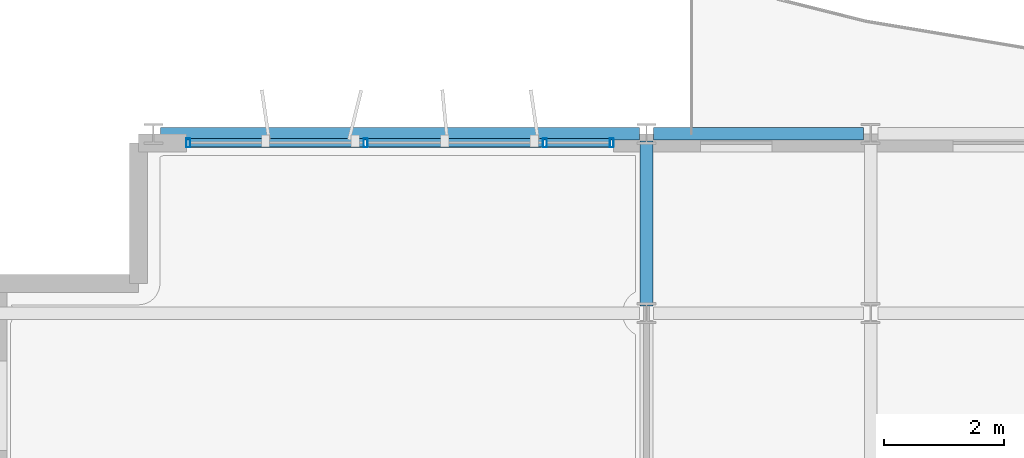
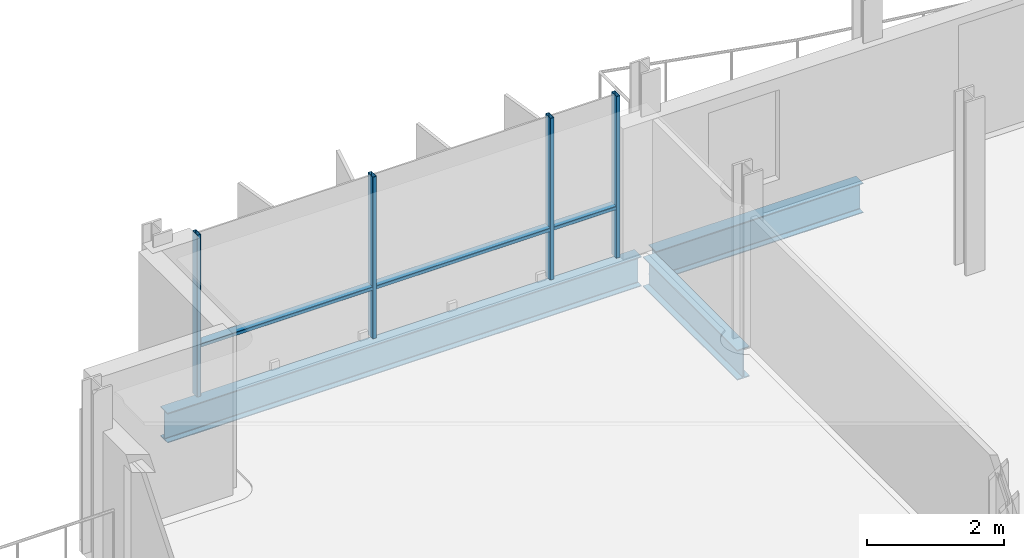
# One storey, part 2 of 12: 7 members, 3 beams, 1 element without a shape of its own.
"""IFC4 building model written with IfcOpenShell, lengths in metres."""

from ifc_helpers import new_model, si_unit, direction, frame, origin, origin_2d, place, context, subcontext, project, spatial, hollow_rectangle, i_section, extrude, material, layer, layer_set, material_profile, profile_set, type_object, element, aggregate, save


model = new_model("IFC4")

# Units and contexts
model_context = context("Model", 3, precision=1e-05, world=origin(), true_north=direction((0.0, 1.0)))
body_context = subcontext(model_context, "Body", "Model", "MODEL_VIEW")
ifc_project = project(units=[si_unit("LENGTHUNIT", "METRE"), si_unit("AREAUNIT", "SQUARE_METRE"), si_unit("VOLUMEUNIT", "CUBIC_METRE"), si_unit("PLANEANGLEUNIT", "RADIAN"), si_unit("MASSUNIT", "GRAM", prefix="KILO")], contexts=[model_context])

# Site, building, storey
site_placement = place(None, origin())
site = spatial("IfcSite", under=ifc_project, at=site_placement, CompositionType="ELEMENT")
building_placement = place(site_placement, origin())
building = spatial("IfcBuilding", under=site, at=building_placement, Name="Brevholm Reach", CompositionType="ELEMENT")
storey_placement = place(building_placement, frame((0.0, 0.0, 230.39990234375)))
storey = spatial("IfcBuildingStorey", under=building, at=storey_placement, Name="L70", CompositionType="ELEMENT", Elevation=230.39990234375)

# Beams
ifc_material_1 = material(Name="Structural Steel S355J2", Category="steel")
ifc_material_profile_1 = material_profile(ifc_material_1, i_section(OverallWidth=0.209228515625, OverallDepth=0.533203125, WebThickness=0.010009765625, FlangeThickness=0.015625, FilletRadius=0.0126953125, at=origin_2d()), Name="UKB 533x210x92")
ifc_profile_set_1 = profile_set([ifc_material_profile_1], Name="Structural Steel S355J2")
beam_type_1 = type_object("IfcBeamType", Name="BM-SP533", PredefinedType="SPANDREL", material=ifc_profile_set_1)
beam_1_placement = place(storey_placement, frame((30.1201171875, 26.5, -0.4765625), z_axis=(1.0, 0.0, 0.0), x_axis=(0.0, 1.0, 0.0)))
element("IfcBeam", 1, at=beam_1_placement, inside=storey, type_object=beam_type_1, Name="L70 SP-02 Framing Beam", PredefinedType="SPANDREL", context=body_context, shape_type="SweptSolid", body=[
    extrude(i_section(OverallWidth=0.209228515625, OverallDepth=0.533203125, WebThickness=0.010009765625, FlangeThickness=0.015625, FilletRadius=0.0126953125, at=origin_2d()), origin(), (0.0, 0.0, 1.0), 8.009765625),
])
beam_2_placement = place(storey_placement, frame((38.3701171875, 26.5, -0.4765625), z_axis=(1.0, 0.0, 0.0), x_axis=(0.0, 1.0, 0.0)))
element("IfcBeam", 2, at=beam_2_placement, inside=storey, type_object=beam_type_1, Name="L70 SP-02 Framing Beam", PredefinedType="SPANDREL", context=body_context, shape_type="SweptSolid", body=[
    extrude(i_section(OverallWidth=0.209228515625, OverallDepth=0.533203125, WebThickness=0.010009765625, FlangeThickness=0.015625, FilletRadius=0.0126953125, at=origin_2d()), origin(), (0.0, 0.0, 1.0), 3.509765625),
])
ifc_material_2 = material(Name="Structural Steel S355J2", Category="steel")
ifc_material_profile_2 = material_profile(ifc_material_2, i_section(OverallWidth=0.210693359375, OverallDepth=0.53955078125, WebThickness=0.01171875, FlangeThickness=0.018798828125, FilletRadius=0.0126953125, at=origin_2d()), Name="UKB 533x210x109")
ifc_profile_set_2 = profile_set([ifc_material_profile_2], Name="Structural Steel S355J2")
beam_type_2 = type_object("IfcBeamType", Name="BM-SP539", PredefinedType="SPANDREL", material=ifc_profile_set_2)
beam_3_placement = place(storey_placement, frame((38.25, 23.6201171875, -0.479736328125), z_axis=(0.0, 1.0, 0.0), x_axis=(-1.0, 0.0, 0.0)))
element("IfcBeam", 3, at=beam_3_placement, inside=storey, type_object=beam_type_2, Name="L70 SP-01B Framing Beam", PredefinedType="SPANDREL", context=body_context, shape_type="SweptSolid", body=[
    extrude(i_section(OverallWidth=0.210693359375, OverallDepth=0.53955078125, WebThickness=0.01171875, FlangeThickness=0.018798828125, FilletRadius=0.0126953125, at=origin_2d()), origin(), (0.0, 0.0, 1.0), 2.759765625),
])

# Curtain wall, members
ifc_material_3 = material(Name="Dark Anodised Aluminium 6063-T6 and Solar-Control Glass", Category="aluminium")
ifc_layer = layer(ifc_material_3, 0.14990234375)
ifc_layer_set = layer_set([ifc_layer], Name="Dark Anodised Aluminium 6063-T6 and Solar-Control Glass")
curtain_wall_type = type_object("IfcCurtainWallType", Name="CW-01", PredefinedType="NOTDEFINED", material=ifc_layer_set)
curtain_wall_placement = place(storey_placement, origin())
curtain_wall = element("IfcCurtainWall", 4, at=curtain_wall_placement, inside=storey, type_object=curtain_wall_type, Name="L70 Curtain Wall CW-01", PredefinedType="NOTDEFINED")
ifc_material_4 = material(Name="Dark Anodised Aluminium 6063-T6", Category="aluminium")
ifc_material_profile_3 = material_profile(ifc_material_4, hollow_rectangle(XDim=0.06494140625, YDim=0.14990234375, WallThickness=0.0048828125, InnerFilletRadius=0.0048828125, OuterFilletRadius=0.010009765625, at=origin_2d()), Name="RHS 150x65x5")
ifc_profile_set_3 = profile_set([ifc_material_profile_3], Name="Dark Anodised Aluminium 6063-T6")
member_type_1 = type_object("IfcMemberType", Name="CWM-150", PredefinedType="MULLION", material=ifc_profile_set_3)
member_1_placement = place(storey_placement, frame((30.58251953125, 26.35009765625, 0.0), z_axis=(0.0, 0.0, 1.0), x_axis=(1.0, 0.0, 0.0)))
member_1 = element("IfcMember", 5, at=member_1_placement, type_object=member_type_1, Name="CM-150 Mullion 1", PredefinedType="MULLION", context=body_context, shape_type="SweptSolid", body=[
    extrude(hollow_rectangle(XDim=0.06494140625, YDim=0.14990234375, WallThickness=0.0048828125, InnerFilletRadius=0.0048828125, OuterFilletRadius=0.010009765625, at=origin_2d()), origin(), (0.0, 0.0, 1.0), 2.89013671875),
])
member_2_placement = place(storey_placement, frame((33.550048828125, 26.35009765625, 0.0), z_axis=(0.0, 0.0, 1.0), x_axis=(1.0, 0.0, 0.0)))
member_2 = element("IfcMember", 6, at=member_2_placement, type_object=member_type_1, Name="CM-150 Mullion 2", PredefinedType="MULLION", context=body_context, shape_type="SweptSolid", body=[
    extrude(hollow_rectangle(XDim=0.06494140625, YDim=0.14990234375, WallThickness=0.0048828125, InnerFilletRadius=0.0048828125, OuterFilletRadius=0.010009765625, at=origin_2d()), origin(), (0.0, 0.0, 1.0), 2.89013671875),
])
member_3_placement = place(storey_placement, frame((36.550048828125, 26.35009765625, 0.0), z_axis=(0.0, 0.0, 1.0), x_axis=(1.0, 0.0, 0.0)))
member_3 = element("IfcMember", 7, at=member_3_placement, type_object=member_type_1, Name="CM-150 Mullion 3", PredefinedType="MULLION", context=body_context, shape_type="SweptSolid", body=[
    extrude(hollow_rectangle(XDim=0.06494140625, YDim=0.14990234375, WallThickness=0.0048828125, InnerFilletRadius=0.0048828125, OuterFilletRadius=0.010009765625, at=origin_2d()), origin(), (0.0, 0.0, 1.0), 2.89013671875),
])
member_4_placement = place(storey_placement, frame((37.66748046875, 26.35009765625, 0.0), z_axis=(0.0, 0.0, 1.0), x_axis=(1.0, 0.0, 0.0)))
member_4 = element("IfcMember", 8, at=member_4_placement, type_object=member_type_1, Name="CM-150 Mullion 4", PredefinedType="MULLION", context=body_context, shape_type="SweptSolid", body=[
    extrude(hollow_rectangle(XDim=0.06494140625, YDim=0.14990234375, WallThickness=0.0048828125, InnerFilletRadius=0.0048828125, OuterFilletRadius=0.010009765625, at=origin_2d()), origin(), (0.0, 0.0, 1.0), 2.89013671875),
])
ifc_material_5 = material(Name="Dark Anodised Aluminium 6063-T6", Category="aluminium")
ifc_material_profile_4 = material_profile(ifc_material_5, hollow_rectangle(XDim=0.06494140625, YDim=0.14990234375, WallThickness=0.0048828125, InnerFilletRadius=0.0048828125, OuterFilletRadius=0.010009765625, at=origin_2d()), Name="RHS 150x65x5")
ifc_profile_set_4 = profile_set([ifc_material_profile_4], Name="Dark Anodised Aluminium 6063-T6")
member_type_2 = type_object("IfcMemberType", Name="CWT-150", PredefinedType="NOTDEFINED", material=ifc_profile_set_4)
member_5_placement = place(storey_placement, frame((30.614990234375, 26.35009765625, 0.900146484375), z_axis=(1.0, 0.0, 0.0), x_axis=(0.0, 0.0, 1.0)))
member_5 = element("IfcMember", 9, at=member_5_placement, type_object=member_type_2, Name="CT-150 Transom 1.1", ObjectType="TRANSOM", PredefinedType="USERDEFINED", context=body_context, shape_type="SweptSolid", body=[
    extrude(hollow_rectangle(XDim=0.06494140625, YDim=0.14990234375, WallThickness=0.0048828125, InnerFilletRadius=0.0048828125, OuterFilletRadius=0.010009765625, at=origin_2d()), origin(), (0.0, 0.0, 1.0), 2.902587890625),
])
member_6_placement = place(storey_placement, frame((33.58251953125, 26.35009765625, 0.900146484375), z_axis=(1.0, 0.0, 0.0), x_axis=(0.0, 0.0, 1.0)))
member_6 = element("IfcMember", 10, at=member_6_placement, type_object=member_type_2, Name="CT-150 Transom 2.1", ObjectType="TRANSOM", PredefinedType="USERDEFINED", context=body_context, shape_type="SweptSolid", body=[
    extrude(hollow_rectangle(XDim=0.06494140625, YDim=0.14990234375, WallThickness=0.0048828125, InnerFilletRadius=0.0048828125, OuterFilletRadius=0.010009765625, at=origin_2d()), origin(), (0.0, 0.0, 1.0), 2.93505859375),
])
member_7_placement = place(storey_placement, frame((36.58251953125, 26.35009765625, 0.900146484375), z_axis=(1.0, 0.0, 0.0), x_axis=(0.0, 0.0, 1.0)))
member_7 = element("IfcMember", 11, at=member_7_placement, type_object=member_type_2, Name="CT-150 Transom 3.1", ObjectType="TRANSOM", PredefinedType="USERDEFINED", context=body_context, shape_type="SweptSolid", body=[
    extrude(hollow_rectangle(XDim=0.06494140625, YDim=0.14990234375, WallThickness=0.0048828125, InnerFilletRadius=0.0048828125, OuterFilletRadius=0.010009765625, at=origin_2d()), origin(), (0.0, 0.0, 1.0), 1.052490234375),
])
aggregate(curtain_wall, [member_1, member_2, member_3, member_4, member_5, member_6, member_7])

save(model, "model.ifc")
